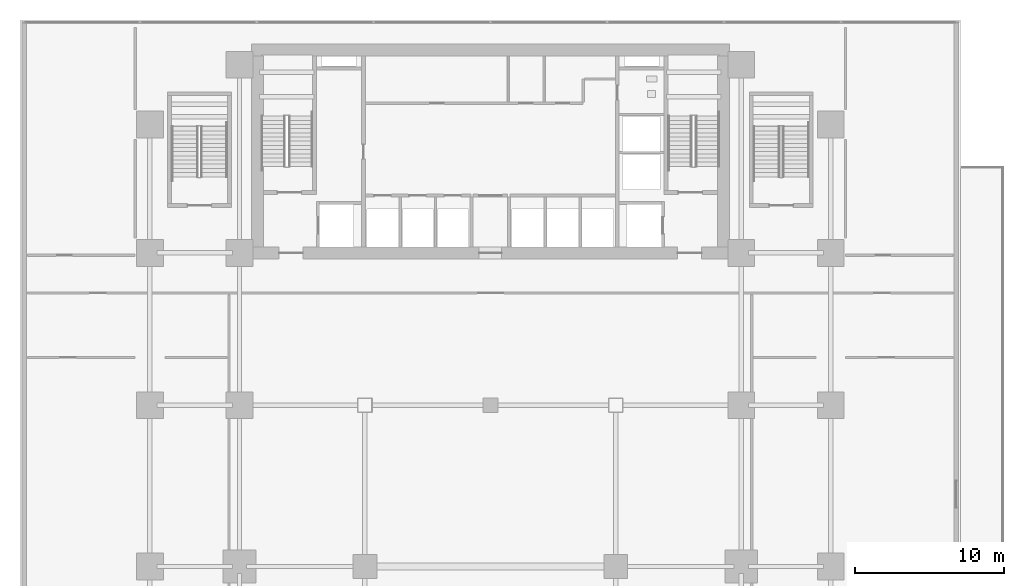
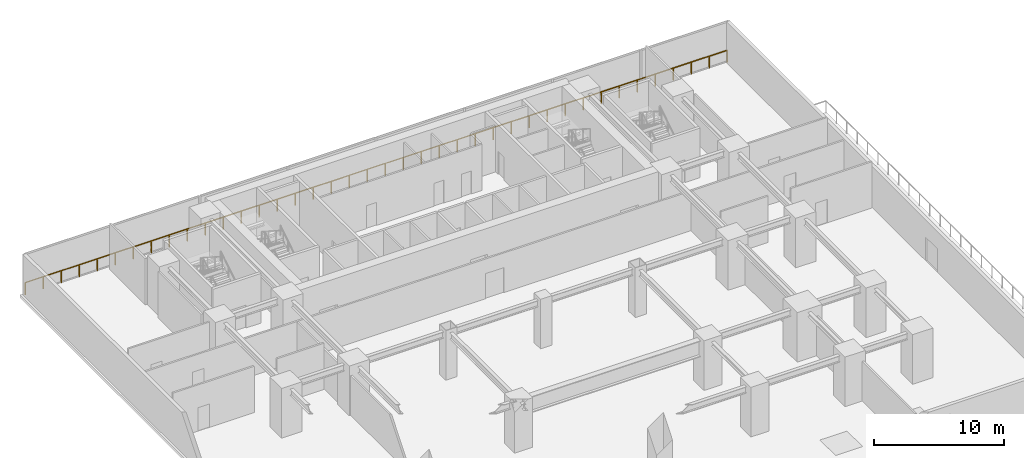
# One storey, part 12 of 15: 1 railing.
"""IFC4 building model written with IfcOpenShell, lengths in metres."""

from ifc_helpers import new_model, si_unit, direction, frame, origin, origin_2d, place, context, subcontext, project, spatial, rectangle, extrude, material, type_object, element, save


model = new_model("IFC4")

# Units and contexts
model_context = context("Model", 3, precision=1e-05, world=origin(), true_north=direction((0.0, 1.0)))
body_context = subcontext(model_context, "Body", "Model", "MODEL_VIEW")
ifc_project = project(units=[si_unit("LENGTHUNIT", "METRE"), si_unit("AREAUNIT", "SQUARE_METRE"), si_unit("VOLUMEUNIT", "CUBIC_METRE"), si_unit("PLANEANGLEUNIT", "RADIAN"), si_unit("MASSUNIT", "GRAM", prefix="KILO")], contexts=[model_context])

# Site, building, storey
site_placement = place(None, origin())
site = spatial("IfcSite", under=ifc_project, at=site_placement, CompositionType="ELEMENT")
building_placement = place(site_placement, origin())
building = spatial("IfcBuilding", under=site, at=building_placement, Name="Sumidabori Civic Tower", CompositionType="ELEMENT")
storey_placement = place(building_placement, frame((0.0, 0.0, 14.300048828125)))
storey = spatial("IfcBuildingStorey", under=building, at=storey_placement, Name="L03", CompositionType="ELEMENT", Elevation=14.300048828125)

# Railing
ifc_material = material(Name="Anodised Bronze Aluminium AW-6063-T6", Category="aluminium")
railing_type = type_object("IfcRailingType", Name="RL-BAL-1150", PredefinedType="BALUSTRADE", material=ifc_material)
railing_placement = place(storey_placement, frame((-31.14990234375, 25.60009765625, 0.0)))
element("IfcRailing", 1, at=railing_placement, inside=storey, type_object=railing_type, Name="Podium North Sill Balustrade L03", PredefinedType="BALUSTRADE", context=body_context, shape_type="SweptSolid", body=[
    extrude(rectangle(XDim=0.048095703125, YDim=0.048095703125, at=origin_2d()), frame((0.0, 0.0, 1.1259765625), z_axis=(1.0, 0.0, 0.0), x_axis=(0.0, 1.0, 0.0)), (0.0, 0.0, 1.0), 62.2998046875),
    extrude(rectangle(XDim=0.0419921875, YDim=0.0419921875, at=origin_2d()), origin(), (0.0, 0.0, 1.0), 1.101806640625),
    extrude(rectangle(XDim=0.0419921875, YDim=0.0419921875, at=origin_2d()), frame((1.597412109375, 0.0, 0.0)), (0.0, 0.0, 1.0), 1.101806640625),
    extrude(rectangle(XDim=0.0419921875, YDim=0.0419921875, at=origin_2d()), frame((3.19482421875, 0.0, 0.0)), (0.0, 0.0, 1.0), 1.101806640625),
    extrude(rectangle(XDim=0.0419921875, YDim=0.0419921875, at=origin_2d()), frame((4.792236328125, 0.0, 0.0)), (0.0, 0.0, 1.0), 1.101806640625),
    extrude(rectangle(XDim=0.0419921875, YDim=0.0419921875, at=origin_2d()), frame((6.3896484375, 0.0, 0.0)), (0.0, 0.0, 1.0), 1.101806640625),
    extrude(rectangle(XDim=0.0419921875, YDim=0.0419921875, at=origin_2d()), frame((7.987060546875, 0.0, 0.0)), (0.0, 0.0, 1.0), 1.101806640625),
    extrude(rectangle(XDim=0.0419921875, YDim=0.0419921875, at=origin_2d()), frame((9.58447265625, 0.0, 0.0)), (0.0, 0.0, 1.0), 1.101806640625),
    extrude(rectangle(XDim=0.0419921875, YDim=0.0419921875, at=origin_2d()), frame((11.18212890625, 0.0, 0.0)), (0.0, 0.0, 1.0), 1.101806640625),
    extrude(rectangle(XDim=0.0419921875, YDim=0.0419921875, at=origin_2d()), frame((12.779541015625, 0.0, 0.0)), (0.0, 0.0, 1.0), 1.101806640625),
    extrude(rectangle(XDim=0.0419921875, YDim=0.0419921875, at=origin_2d()), frame((14.376953125, 0.0, 0.0)), (0.0, 0.0, 1.0), 1.101806640625),
    extrude(rectangle(XDim=0.0419921875, YDim=0.0419921875, at=origin_2d()), frame((15.974365234375, 0.0, 0.0)), (0.0, 0.0, 1.0), 1.101806640625),
    extrude(rectangle(XDim=0.0419921875, YDim=0.0419921875, at=origin_2d()), frame((17.57177734375, 0.0, 0.0)), (0.0, 0.0, 1.0), 1.101806640625),
    extrude(rectangle(XDim=0.0419921875, YDim=0.0419921875, at=origin_2d()), frame((19.169189453125, 0.0, 0.0)), (0.0, 0.0, 1.0), 1.101806640625),
    extrude(rectangle(XDim=0.0419921875, YDim=0.0419921875, at=origin_2d()), frame((20.7666015625, 0.0, 0.0)), (0.0, 0.0, 1.0), 1.101806640625),
    extrude(rectangle(XDim=0.0419921875, YDim=0.0419921875, at=origin_2d()), frame((22.364013671875, 0.0, 0.0)), (0.0, 0.0, 1.0), 1.101806640625),
    extrude(rectangle(XDim=0.0419921875, YDim=0.0419921875, at=origin_2d()), frame((23.96142578125, 0.0, 0.0)), (0.0, 0.0, 1.0), 1.101806640625),
    extrude(rectangle(XDim=0.0419921875, YDim=0.0419921875, at=origin_2d()), frame((25.558837890625, 0.0, 0.0)), (0.0, 0.0, 1.0), 1.101806640625),
    extrude(rectangle(XDim=0.0419921875, YDim=0.0419921875, at=origin_2d()), frame((27.15625, 0.0, 0.0)), (0.0, 0.0, 1.0), 1.101806640625),
    extrude(rectangle(XDim=0.0419921875, YDim=0.0419921875, at=origin_2d()), frame((28.753662109375, 0.0, 0.0)), (0.0, 0.0, 1.0), 1.101806640625),
    extrude(rectangle(XDim=0.0419921875, YDim=0.0419921875, at=origin_2d()), frame((30.35107421875, 0.0, 0.0)), (0.0, 0.0, 1.0), 1.101806640625),
    extrude(rectangle(XDim=0.0419921875, YDim=0.0419921875, at=origin_2d()), frame((31.94873046875, 0.0, 0.0)), (0.0, 0.0, 1.0), 1.101806640625),
    extrude(rectangle(XDim=0.0419921875, YDim=0.0419921875, at=origin_2d()), frame((33.546142578125, 0.0, 0.0)), (0.0, 0.0, 1.0), 1.101806640625),
    extrude(rectangle(XDim=0.0419921875, YDim=0.0419921875, at=origin_2d()), frame((35.1435546875, 0.0, 0.0)), (0.0, 0.0, 1.0), 1.101806640625),
    extrude(rectangle(XDim=0.0419921875, YDim=0.0419921875, at=origin_2d()), frame((36.740966796875, 0.0, 0.0)), (0.0, 0.0, 1.0), 1.101806640625),
    extrude(rectangle(XDim=0.0419921875, YDim=0.0419921875, at=origin_2d()), frame((38.33837890625, 0.0, 0.0)), (0.0, 0.0, 1.0), 1.101806640625),
    extrude(rectangle(XDim=0.0419921875, YDim=0.0419921875, at=origin_2d()), frame((39.935791015625, 0.0, 0.0)), (0.0, 0.0, 1.0), 1.101806640625),
    extrude(rectangle(XDim=0.0419921875, YDim=0.0419921875, at=origin_2d()), frame((41.533203125, 0.0, 0.0)), (0.0, 0.0, 1.0), 1.101806640625),
    extrude(rectangle(XDim=0.0419921875, YDim=0.0419921875, at=origin_2d()), frame((43.130615234375, 0.0, 0.0)), (0.0, 0.0, 1.0), 1.101806640625),
    extrude(rectangle(XDim=0.0419921875, YDim=0.0419921875, at=origin_2d()), frame((44.72802734375, 0.0, 0.0)), (0.0, 0.0, 1.0), 1.101806640625),
    extrude(rectangle(XDim=0.0419921875, YDim=0.0419921875, at=origin_2d()), frame((46.325439453125, 0.0, 0.0)), (0.0, 0.0, 1.0), 1.101806640625),
    extrude(rectangle(XDim=0.0419921875, YDim=0.0419921875, at=origin_2d()), frame((47.9228515625, 0.0, 0.0)), (0.0, 0.0, 1.0), 1.101806640625),
    extrude(rectangle(XDim=0.0419921875, YDim=0.0419921875, at=origin_2d()), frame((49.520263671875, 0.0, 0.0)), (0.0, 0.0, 1.0), 1.101806640625),
    extrude(rectangle(XDim=0.0419921875, YDim=0.0419921875, at=origin_2d()), frame((51.11767578125, 0.0, 0.0)), (0.0, 0.0, 1.0), 1.101806640625),
    extrude(rectangle(XDim=0.0419921875, YDim=0.0419921875, at=origin_2d()), frame((52.71533203125, 0.0, 0.0)), (0.0, 0.0, 1.0), 1.101806640625),
    extrude(rectangle(XDim=0.0419921875, YDim=0.0419921875, at=origin_2d()), frame((54.312744140625, 0.0, 0.0)), (0.0, 0.0, 1.0), 1.101806640625),
    extrude(rectangle(XDim=0.0419921875, YDim=0.0419921875, at=origin_2d()), frame((55.91015625, 0.0, 0.0)), (0.0, 0.0, 1.0), 1.101806640625),
    extrude(rectangle(XDim=0.0419921875, YDim=0.0419921875, at=origin_2d()), frame((57.507568359375, 0.0, 0.0)), (0.0, 0.0, 1.0), 1.101806640625),
    extrude(rectangle(XDim=0.0419921875, YDim=0.0419921875, at=origin_2d()), frame((59.10498046875, 0.0, 0.0)), (0.0, 0.0, 1.0), 1.101806640625),
    extrude(rectangle(XDim=0.0419921875, YDim=0.0419921875, at=origin_2d()), frame((60.702392578125, 0.0, 0.0)), (0.0, 0.0, 1.0), 1.101806640625),
    extrude(rectangle(XDim=0.0419921875, YDim=0.0419921875, at=origin_2d()), frame((62.2998046875, 0.0, 0.0)), (0.0, 0.0, 1.0), 1.101806640625),
])

save(model, "model.ifc")
